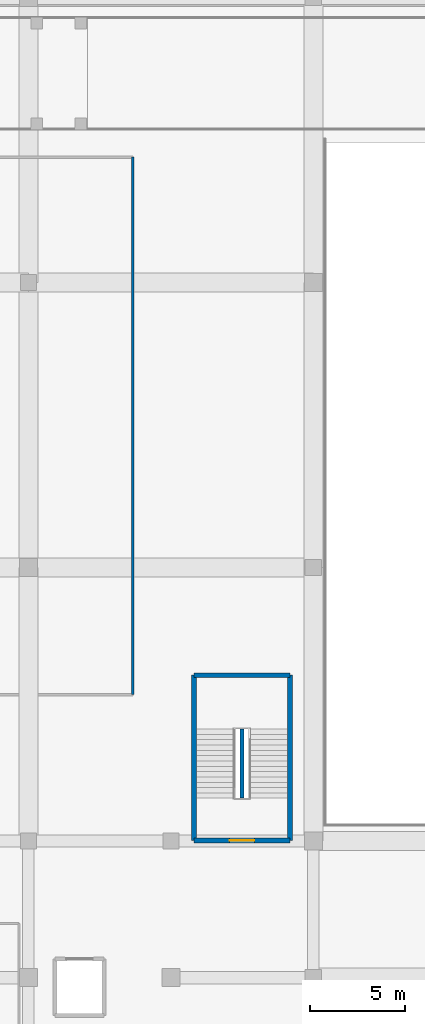
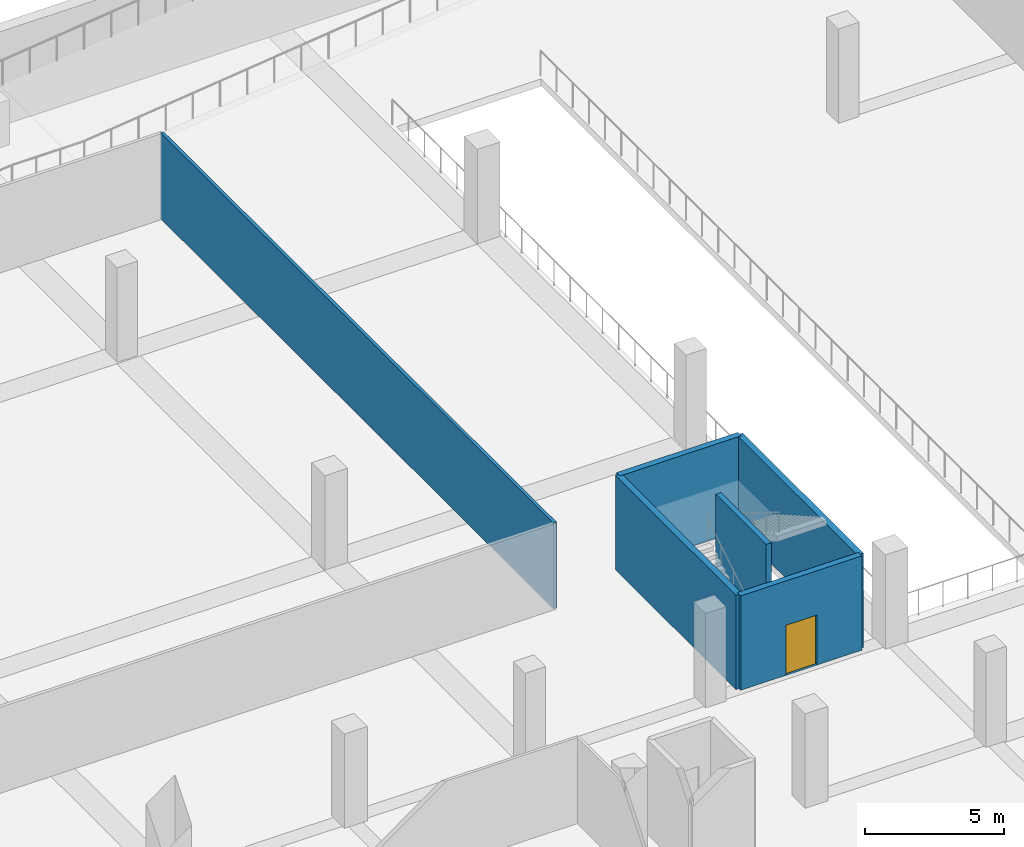
# One storey, part 18 of 25: 6 walls, 1 door, 1 opening.
"""IFC4 building model written with IfcOpenShell, lengths in metres."""

import ifcopenshell
import ifcopenshell.guid

model = None  # the IFC model being written
_history = None  # IfcOwnerHistory: only IFC2X3 demands one
_inside = {}  # id of a spatial element -> (the spatial element, [elements in it])
_under = {}  # id of a project, library or spatial element -> (it, [spatial elements below it])
_declared = {}  # id of a project -> (the project, [libraries it declares])
_typed = {}  # id of a type object -> (the type object, [elements of that type])
_made_of = {}  # id of a material, layer set ... -> (it, [elements and type objects made of it])


def new_model(schema):
    """Start an empty IFC model of exactly this schema.

    Asked for "IFC4X3", IfcOpenShell would pick the latest addendum, in which some entities
    have other attributes; the version numbers below select the first issue.
    IFC2X3 requires an IfcOwnerHistory on every rooted entity: one is made here for all.
    """
    global model, _history
    if schema == "IFC4X3":
        model = ifcopenshell.file(schema_version=(4, 3, 0, 0))
    else:
        model = ifcopenshell.file(schema=schema)
    _inside.clear()
    _under.clear()
    _declared.clear()
    _typed.clear()
    _made_of.clear()
    _history = None
    if model.schema == "IFC2X3":
        org = make("IfcOrganization", Name="unknown")
        user = make(
            "IfcPersonAndOrganization",
            ThePerson=make("IfcPerson", FamilyName="unknown"),
            TheOrganization=org,
        )
        app = make(
            "IfcApplication",
            ApplicationDeveloper=org,
            Version="unknown",
            ApplicationFullName="unknown",
            ApplicationIdentifier="unknown",
        )
        _history = make(
            "IfcOwnerHistory",
            OwningUser=user,
            OwningApplication=app,
            ChangeAction="ADDED",
            CreationDate=0,
        )
    return model


def make(cls, **values):
    """One entity of the class cls with the attributes given. An attribute that is None is left unset."""
    return model.create_entity(
        cls, **{name: value for name, value in values.items() if value is not None}
    )


def rooted(cls, **values):
    """An entity with a GlobalId (a new one), such as an element, a storey or a relation."""
    return make(cls, GlobalId=ifcopenshell.guid.new(), OwnerHistory=_history, **values)


def si_unit(unit_type, name, prefix=None):
    """IfcSIUnit, for example si_unit("LENGTHUNIT", "METRE", prefix="MILLI")."""
    return make("IfcSIUnit", UnitType=unit_type, Prefix=prefix, Name=name)


def assignment(units):
    """IfcUnitAssignment: the units of a project."""
    return None if units is None else make("IfcUnitAssignment", Units=units)


def point(xyz):
    """IfcCartesianPoint."""
    return None if xyz is None else make("IfcCartesianPoint", Coordinates=xyz)


def direction(xyz):
    """IfcDirection."""
    return None if xyz is None else make("IfcDirection", DirectionRatios=xyz)


def frame(location, z_axis=None, x_axis=None):
    """IfcAxis2Placement3D, a coordinate frame: its origin and axes. An axis left out is left unset."""
    return make(
        "IfcAxis2Placement3D",
        Location=point(location),
        Axis=direction(z_axis),
        RefDirection=direction(x_axis),
    )


def frame_2d(location, x_axis=None):
    """IfcAxis2Placement2D, a coordinate frame in the plane: its origin and x axis."""
    return make(
        "IfcAxis2Placement2D", Location=point(location), RefDirection=direction(x_axis)
    )


def origin():
    """The frame at (0, 0, 0) with its axes left unset."""
    return frame((0.0, 0.0, 0.0))


def place(relative_to, where):
    """IfcLocalPlacement: puts the frame where relative to a parent placement (None: the world)."""
    return make(
        "IfcLocalPlacement", PlacementRelTo=relative_to, RelativePlacement=where
    )


def context(
    kind, dimensions, precision=None, world=None, true_north=None, identifier=None
):
    """IfcGeometricRepresentationContext, for example the 3D "Model" context."""
    return make(
        "IfcGeometricRepresentationContext",
        ContextIdentifier=identifier,
        ContextType=kind,
        CoordinateSpaceDimension=dimensions,
        Precision=precision,
        WorldCoordinateSystem=world,
        TrueNorth=true_north,
    )


def subcontext(parent, identifier, kind, view, scale=None):
    """IfcGeometricRepresentationSubContext, for example "Body" below "Model"."""
    return make(
        "IfcGeometricRepresentationSubContext",
        ContextIdentifier=identifier,
        ContextType=kind,
        ParentContext=parent,
        TargetScale=scale,
        TargetView=view,
    )


def project(units=None, contexts=None):
    """IfcProject with its units and contexts."""
    return rooted(
        "IfcProject",
        Name="project",
        RepresentationContexts=contexts,
        UnitsInContext=assignment(units),
    )


def spatial(cls, under=None, at=None, **own):
    """A site, building, storey or space (cls), placed at a placement, below another one or the project."""
    s = rooted(cls, ObjectPlacement=at, **own)
    if under is not None:
        _under.setdefault(under.id(), (under, []))[1].append(s)
    return s


def profile(cls, at=None, kind="AREA", **sizes):
    """A parametric profile (cls). Its sizes go by their IFC names, for example OverallWidth=200.0."""
    return make(cls, ProfileType=kind, Position=at, **sizes)


def rectangle(**sizes):
    """IfcRectangleProfileDef."""
    return profile("IfcRectangleProfileDef", **sizes)


def extrude(swept, where, along, depth):
    """IfcExtrudedAreaSolid: the profile swept, set in the frame where, extruded along a direction by depth."""
    return make(
        "IfcExtrudedAreaSolid",
        SweptArea=swept,
        Position=where,
        ExtrudedDirection=direction(along),
        Depth=depth,
    )


def shape(context_of_items, identifier, shape_type, items):
    """IfcShapeRepresentation: the items that make up one representation, for example the "Body"."""
    return make(
        "IfcShapeRepresentation",
        ContextOfItems=context_of_items,
        RepresentationIdentifier=identifier,
        RepresentationType=shape_type,
        Items=items,
    )


def material(Name=None, Category=None):
    """IfcMaterial."""
    return make("IfcMaterial", Name=Name, Category=Category)


def layer(
    of_material, thickness, ventilated=None, Name=None, Category=None, Priority=None
):
    """IfcMaterialLayer: one layer of a wall or slab, of a material (None: an air gap)."""
    return make(
        "IfcMaterialLayer",
        Material=of_material,
        LayerThickness=thickness,
        IsVentilated=ventilated,
        Name=Name,
        Category=Category,
        Priority=Priority,
    )


def layer_set(layers, Name=None):
    """IfcMaterialLayerSet."""
    return make("IfcMaterialLayerSet", MaterialLayers=layers, LayerSetName=Name)


def made_of(thing, what):
    """Note that an element or type object is made of a material, layer set ...; save() writes the relation."""
    if what is not None:
        _made_of.setdefault(what.id(), (what, []))[1].append(thing)
    return thing


def type_object(cls, material=None, **own):
    """A type object (cls), such as IfcWallType, which elements share."""
    return made_of(rooted(cls, **own), material)


def element(
    cls,
    number,
    at=None,
    inside=None,
    cuts=None,
    type_object=None,
    material=None,
    context=None,
    identifier="Body",
    shape_type=None,
    held_by="IfcProductDefinitionShape",
    body=None,
    shapes=None,
    **own,
):
    """One element of the class cls, such as IfcWall. Its Tag is "e" and its number.

    at: its placement. inside: the storey or other place that contains it. cuts: it is an
    opening in that element (IfcRelVoidsElement). A single representation is given by context,
    identifier, shape_type and body (its items); several are given by shapes. held_by: the class
    of the entity that holds the representations. save() writes the other relations.
    """
    e = rooted(cls, Tag="e%d" % number, ObjectPlacement=at, **own)
    if body is not None:
        shapes = [shape(context, identifier, shape_type, body)]
    if shapes is not None:
        e.Representation = make(held_by, Representations=shapes)
    if inside is not None:
        _inside.setdefault(inside.id(), (inside, []))[1].append(e)
    if cuts is not None:
        rooted(
            "IfcRelVoidsElement", RelatingBuildingElement=cuts, RelatedOpeningElement=e
        )
    if type_object is not None:
        _typed.setdefault(type_object.id(), (type_object, []))[1].append(e)
    return made_of(e, material)


def fill(opening, filler):
    """IfcRelFillsElement: the door or window that sits in an opening."""
    return rooted(
        "IfcRelFillsElement",
        RelatingOpeningElement=opening,
        RelatedBuildingElement=filler,
    )


def aggregate(whole, parts):
    """IfcRelAggregates: a whole, such as a stair, and the parts it consists of."""
    return rooted("IfcRelAggregates", RelatingObject=whole, RelatedObjects=parts)


def save(model, path):
    """Write the relations noted so far, then the file.

    IfcRelAggregates (storeys below a building ...), IfcRelContainedInSpatialStructure (elements
    in a storey), IfcRelDefinesByType, IfcRelAssociatesMaterial and IfcRelDeclares: one each for
    every whole, place, type object, material and project.
    """
    for whole, parts in _under.values():
        aggregate(whole, parts)
    for where, things in _inside.values():
        rooted(
            "IfcRelContainedInSpatialStructure",
            RelatedElements=things,
            RelatingStructure=where,
        )
    for kind, things in _typed.values():
        rooted("IfcRelDefinesByType", RelatedObjects=things, RelatingType=kind)
    for what, things in _made_of.values():
        rooted("IfcRelAssociatesMaterial", RelatedObjects=things, RelatingMaterial=what)
    for by, libraries in _declared.values():
        rooted("IfcRelDeclares", RelatingContext=by, RelatedDefinitions=libraries)
    model.write(path)


model = new_model("IFC4")

# Units and contexts
model_context = context("Model", 3, precision=1e-05, world=origin(), true_north=direction((0.0, 1.0)))
body_context = subcontext(model_context, "Body", "Model", "MODEL_VIEW")
ifc_project = project(units=[si_unit("LENGTHUNIT", "METRE"), si_unit("AREAUNIT", "SQUARE_METRE"), si_unit("VOLUMEUNIT", "CUBIC_METRE"), si_unit("PLANEANGLEUNIT", "RADIAN"), si_unit("MASSUNIT", "GRAM", prefix="KILO")], contexts=[model_context])

# Site, building, storey
site_placement = place(None, origin())
site = spatial("IfcSite", under=ifc_project, at=site_placement, CompositionType="ELEMENT")
building_placement = place(site_placement, origin())
building = spatial("IfcBuilding", under=site, at=building_placement, Name="Akrevak Sports Hall", CompositionType="ELEMENT")
storey_placement = place(building_placement, frame((0.0, 0.0, -4.5)))
storey = spatial("IfcBuildingStorey", under=building, at=storey_placement, Name="B01", CompositionType="ELEMENT", Elevation=-4.5)

# Walls
ifc_material_1 = material(Name="Acoustic Metal Stud Partition", Category="gypsum")
ifc_layer_1 = layer(ifc_material_1, 0.1298828125, Name="Acoustic Metal Stud Partition")
ifc_layer_set_1 = layer_set([ifc_layer_1], Name="Acoustic Metal Stud Partition")
wall_type_1 = type_object("IfcWallType", Name="ARC-WL-PRT-130", PredefinedType="PARTITIONING", material=ifc_layer_set_1)
wall_1_placement = place(storey_placement, frame((136.0, 77.300048828125, 0.0), z_axis=(0.0, 0.0, 1.0), x_axis=(0.0, 1.0, 0.0)))
element("IfcWall", 1, at=wall_1_placement, inside=storey, type_object=wall_type_1, Name="Interior Partition Underground Car Park Hall North B01 (E)", PredefinedType="PARTITIONING", context=body_context, shape_type="SweptSolid", body=[
    extrude(rectangle(XDim=28.300048828125, YDim=0.1298828125, at=frame_2d((14.14990234375, 0.0))), origin(), (0.0, 0.0, 1.0), 3.780029296875),
])
ifc_material_2 = material(Name="Concrete C40/50", Category="concrete")
ifc_layer_2 = layer(ifc_material_2, 0.219970703125, Name="Concrete C40/50")
ifc_layer_set_2 = layer_set([ifc_layer_2], Name="Concrete C40/50")
wall_type_2 = type_object("IfcWallType", Name="ARC-WL-PRT-220", PredefinedType="PARTITIONING", material=ifc_layer_set_2)
wall_2_placement = place(storey_placement, frame((141.75, 71.85009765625, 0.0), z_axis=(0.0, 0.0, 1.0), x_axis=(0.0, 1.0, 0.0)))
element("IfcWall", 2, at=wall_2_placement, inside=storey, type_object=wall_type_2, Name="Stair ST8 Central Spine Wall (B01)", PredefinedType="PARTITIONING", context=body_context, shape_type="SweptSolid", body=[
    extrude(rectangle(XDim=3.639892578125, YDim=0.219970703125, at=frame_2d((1.81982421875, 0.0))), origin(), (0.0, 0.0, 1.0), 4.14990234375),
])

# Wall, opening, door
ifc_material_3 = material(Name="Concrete C50/60", Category="concrete")
ifc_layer_3 = layer(ifc_material_3, 0.25, Name="Concrete C50/60")
ifc_layer_set_3 = layer_set([ifc_layer_3], Name="Concrete C50/60")
wall_type_3 = type_object("IfcWallType", Name="STR-WL-STAIR-250", PredefinedType="SHEAR", material=ifc_layer_set_3)
wall_3_placement = place(storey_placement, frame((139.22509765625, 69.625, 0.0), z_axis=(0.0, 0.0, 1.0), x_axis=(1.0, 0.0, 0.0)))
wall_3 = element("IfcWall", 3, at=wall_3_placement, inside=storey, type_object=wall_type_3, Name="Stair Core ST8 Shear Wall S (B01)", PredefinedType="SHEAR", context=body_context, shape_type="SweptSolid", body=[
    extrude(rectangle(XDim=5.0498046875, YDim=0.25, at=frame_2d((2.52490234375, 0.0))), origin(), (0.0, 0.0, 1.0), 4.14990234375),
])
opening_placement = place(wall_3_placement, frame((1.875, 0.0, 0.0)))
opening = element("IfcOpeningElement", 4, at=opening_placement, cuts=wall_3, Name="Opening SD-01", PredefinedType="OPENING", context=body_context, shape_type="SweptSolid", body=[
    extrude(rectangle(XDim=1.300048828125, YDim=2.199951171875, at=frame_2d((0.64990234375, 1.10009765625))), frame((0.0, 0.136962890625, 0.0), z_axis=(0.0, -1.0, 0.0), x_axis=(1.0, 0.0, 0.0)), (0.0, 0.0, 1.0), 0.27392578125),
])
ifc_material_4 = material(Name="Fire-Rated Galvanized Door Steel", Category="steel")
door_type = type_object("IfcDoorType", Name="ARC-DR-STAIR-130x220", OperationType="NOTDEFINED", PredefinedType="DOOR", material=ifc_material_4)
door_placement = place(opening_placement, origin())
door = element("IfcDoor", 5, at=door_placement, inside=storey, type_object=door_type, Name="Exit Stair ST8 Door (B01)", OperationType="SINGLE_SWING_RIGHT", OverallHeight=2.199951171875, OverallWidth=1.300048828125, PredefinedType="DOOR", context=body_context, shape_type="SweptSolid", body=[
    extrude(rectangle(XDim=1.300048828125, YDim=2.199951171875, at=frame_2d((0.64990234375, 1.10009765625))), frame((0.0, 0.02490234375, 0.0), z_axis=(0.0, -1.0, 0.0), x_axis=(1.0, 0.0, 0.0)), (0.0, 0.0, 1.0), 0.050048828125),
])
fill(opening, door)

# Walls
wall_4_placement = place(storey_placement, frame((144.27490234375, 78.324951171875, 0.0), z_axis=(0.0, 0.0, 1.0), x_axis=(-1.0, 0.0, 0.0)))
element("IfcWall", 6, at=wall_4_placement, inside=storey, type_object=wall_type_3, Name="Stair Core ST8 Shear Wall N (B01)", PredefinedType="SHEAR", context=body_context, shape_type="SweptSolid", body=[
    extrude(rectangle(XDim=5.0498046875, YDim=0.25, at=frame_2d((2.52490234375, 0.0))), origin(), (0.0, 0.0, 1.0), 4.14990234375),
])
for number, where, z_axis, x_axis, name in (
    (7, (139.22509765625, 78.324951171875, 0.0), (0.0, 0.0, 1.0), (0.0, -1.0, 0.0), "Stair Core ST8 Shear Wall W (B01)"),
    (8, (144.27490234375, 69.625, 0.0), (0.0, 0.0, 1.0), (0.0, 1.0, 0.0), "Stair Core ST8 Shear Wall E (B01)"),
):
    element("IfcWall", number, at=place(storey_placement, frame(where, z_axis=z_axis, x_axis=x_axis)), inside=storey, type_object=wall_type_3, Name=name, PredefinedType="SHEAR", context=body_context, shape_type="SweptSolid", body=[
        extrude(rectangle(XDim=8.699951171875, YDim=0.25, at=frame_2d((4.35009765625, 0.0))), origin(), (0.0, 0.0, 1.0), 4.14990234375),
    ])

save(model, "model.ifc")
